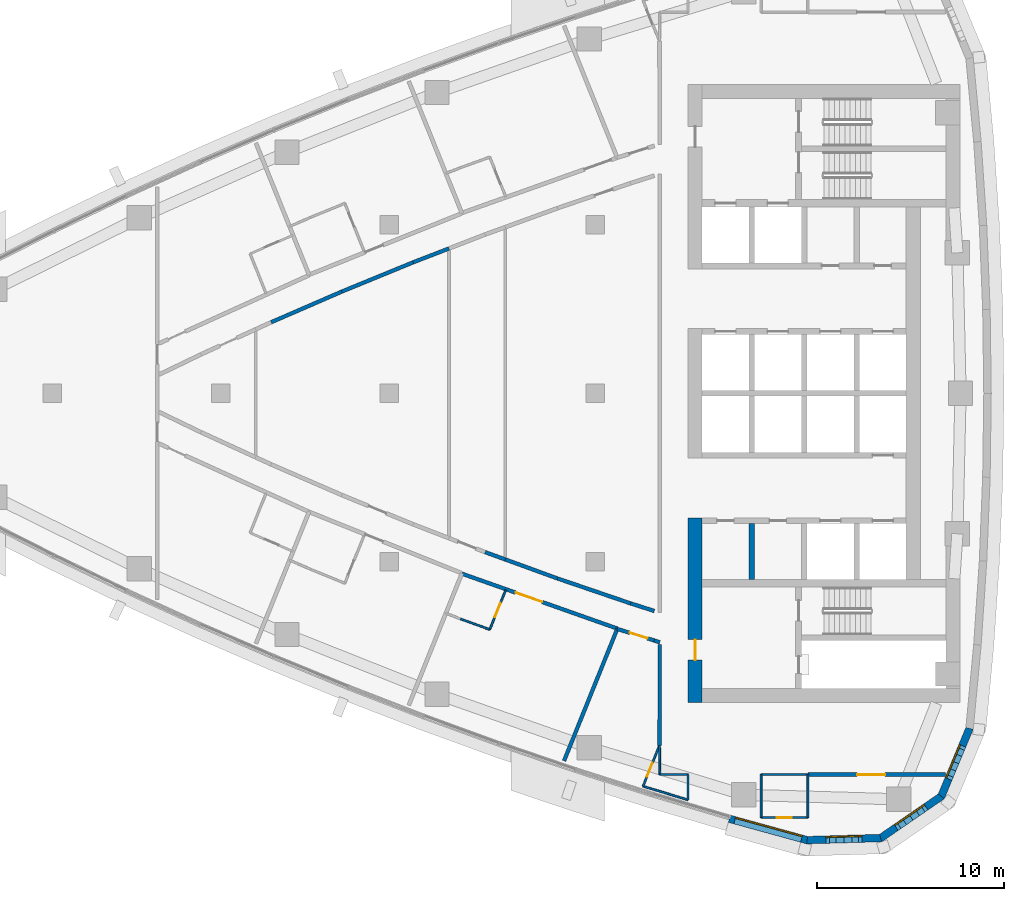
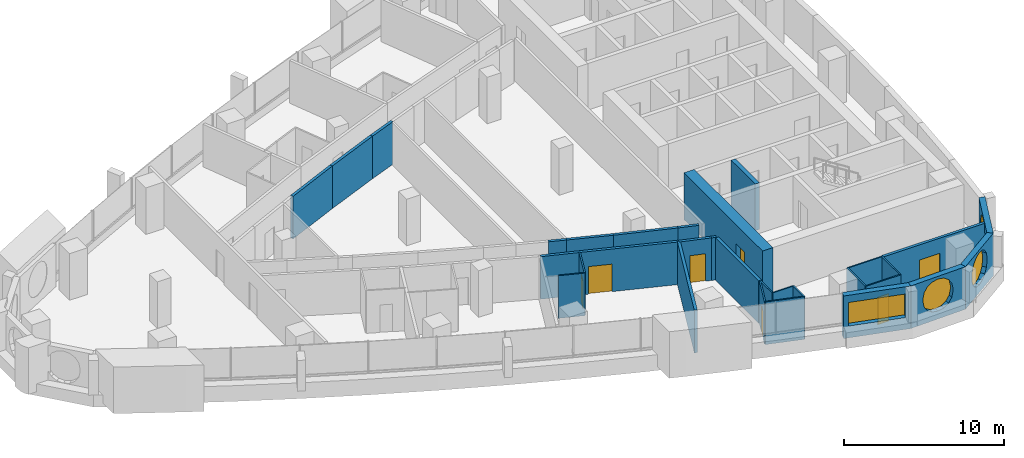
# One storey, part 10 of 17: 30 walls, 7 doors, 4 windows, 11 openings.
"""IFC4 building model written with IfcOpenShell, lengths in metres."""

from ifc_helpers import new_model, si_unit, direction, frame, frame_2d, origin, place, context, subcontext, project, spatial, polyline, rectangle, outline, extrude, material, layer, layer_set, type_object, element, fill, save


model = new_model("IFC4")

# Units and contexts
model_context = context("Model", 3, precision=1e-05, world=origin(), true_north=direction((0.0, 1.0)))
body_context = subcontext(model_context, "Body", "Model", "MODEL_VIEW")
ifc_project = project(units=[si_unit("LENGTHUNIT", "METRE"), si_unit("AREAUNIT", "SQUARE_METRE"), si_unit("VOLUMEUNIT", "CUBIC_METRE"), si_unit("PLANEANGLEUNIT", "RADIAN"), si_unit("MASSUNIT", "GRAM", prefix="KILO")], contexts=[model_context])

# Site, building, storey
site_placement = place(None, origin())
site = spatial("IfcSite", under=ifc_project, at=site_placement, CompositionType="ELEMENT")
building_placement = place(site_placement, origin())
building = spatial("IfcBuilding", under=site, at=building_placement, Name="Ostrand Prow Hotel Tower", CompositionType="ELEMENT")
storey_placement = place(building_placement, frame((0.0, 0.0, 193.25)))
storey = spatial("IfcBuildingStorey", under=building, at=storey_placement, Name="L48", CompositionType="ELEMENT", Elevation=193.25)

# Wall
ifc_material_1 = material(Name="Concrete C60/75", Category="concrete")
ifc_layer_1 = layer(ifc_material_1, 0.300048828125)
ifc_layer_set_1 = layer_set([ifc_layer_1], Name="Concrete C60/75")
wall_type_1 = type_object("IfcWallType", Name="Core wall 300 C60/75", PredefinedType="SHEAR", material=ifc_layer_set_1)
wall_1_placement = place(storey_placement, frame((53.35009765625, -9.949951171875, 0.0), z_axis=(0.0, 0.0, 1.0), x_axis=(0.0, 1.0, 0.0)))
element("IfcWall", 1, at=wall_1_placement, inside=storey, type_object=wall_type_1, Name="Core wall PW-R1-SA", PredefinedType="SHEAR", context=body_context, shape_type="SweptSolid", body=[
    extrude(rectangle(XDim=3.0, YDim=0.300048828125, at=frame_2d((1.5, 0.0))), origin(), (0.0, 0.0, 1.0), 3.550048828125),
])

# Wall, opening, door
ifc_material_2 = material(Name="Concrete C60/75", Category="concrete")
ifc_layer_2 = layer(ifc_material_2, 0.75)
ifc_layer_set_2 = layer_set([ifc_layer_2], Name="Concrete C60/75")
wall_type_2 = type_object("IfcWallType", Name="Core wall 750 C60/75", PredefinedType="SHEAR", material=ifc_layer_set_2)
wall_2_placement = place(storey_placement, frame((50.324951171875, -16.5, 0.0), z_axis=(0.0, 0.0, 1.0), x_axis=(0.0, 1.0, 0.0)))
wall_2 = element("IfcWall", 2, at=wall_2_placement, inside=storey, type_object=wall_type_2, Name="Core wall CW-W-S", PredefinedType="SHEAR", context=body_context, shape_type="SweptSolid", body=[
    extrude(rectangle(XDim=9.85009765625, YDim=0.75, at=frame_2d((4.925048828125, 0.0))), origin(), (0.0, 0.0, 1.0), 3.550048828125),
])
opening_1_placement = place(wall_2_placement, frame((2.25, 0.0, 0.0)))
opening_1 = element("IfcOpeningElement", 3, at=opening_1_placement, cuts=wall_2, Name="Opening FD1", PredefinedType="OPENING", context=body_context, shape_type="SweptSolid", body=[
    extrude(rectangle(XDim=1.10009765625, YDim=2.10009765625, at=frame_2d((0.550048828125, 1.050048828125))), frame((0.0, 0.385009765625, 0.0), z_axis=(0.0, -1.0, 0.0), x_axis=(1.0, 0.0, 0.0)), (0.0, 0.0, 1.0), 0.77001953125),
])
ifc_material_3 = material(Name="Steel fire door", Category="steel")
door_type_1 = type_object("IfcDoorType", Name="Fire door 1100 EI120", OperationType="SINGLE_SWING_RIGHT", PredefinedType="DOOR", material=ifc_material_3)
door_1_placement = place(opening_1_placement, origin())
door_1 = element("IfcDoor", 4, at=door_1_placement, inside=storey, type_object=door_type_1, Name="FIRE DOOR", OperationType="SINGLE_SWING_RIGHT", OverallHeight=2.10009765625, OverallWidth=1.10009765625, PredefinedType="DOOR", context=body_context, shape_type="SweptSolid", body=[
    extrude(rectangle(XDim=1.10009765625, YDim=2.10009765625, at=frame_2d((0.550048828125, 1.050048828125))), frame((0.0, 0.02490234375, 0.0), z_axis=(0.0, -1.0, 0.0), x_axis=(1.0, 0.0, 0.0)), (0.0, 0.0, 1.0), 0.050048828125),
])
fill(opening_1, door_1)

ifc_material_4 = material(Name="Plasterboard partition")
ifc_layer_3 = layer(ifc_material_4, 0.10009765625)
ifc_layer_set_3 = layer_set([ifc_layer_3], Name="Plasterboard partition")
wall_type_3 = type_object("IfcWallType", Name="Partition 100 bathroom wall", PredefinedType="PARTITIONING", material=ifc_layer_set_3)
wall_3_placement = place(storey_placement, frame((56.35009765625, -22.64990234375, 0.0), z_axis=(0.0, 0.0, 1.0), x_axis=(-1.0, 0.0, 0.0)))
wall_3 = element("IfcWall", 5, at=wall_3_placement, inside=storey, type_object=wall_type_3, Name="BATHROOM WALL", PredefinedType="PARTITIONING", context=body_context, shape_type="SweptSolid", body=[
    extrude(rectangle(XDim=2.5, YDim=0.10009765625, at=frame_2d((1.25, 0.0))), origin(), (0.0, 0.0, 1.0), 3.25),
])
opening_2_placement = place(wall_3_placement, frame((0.85009765625, 0.0, 0.0)))
opening_2 = element("IfcOpeningElement", 6, at=opening_2_placement, cuts=wall_3, Name="Opening D2", PredefinedType="OPENING", context=body_context, shape_type="SweptSolid", body=[
    extrude(rectangle(XDim=0.800048828125, YDim=2.10009765625, at=frame_2d((0.39990234375, 1.050048828125))), frame((0.0, 0.06005859375, 0.0), z_axis=(0.0, -1.0, 0.0), x_axis=(1.0, 0.0, 0.0)), (0.0, 0.0, 1.0), 0.1201171875),
])
ifc_material_5 = material(Name="Timber door leaf", Category="wood")
door_type_2 = type_object("IfcDoorType", Name="Bathroom door 800", OperationType="SINGLE_SWING_LEFT", PredefinedType="DOOR", material=ifc_material_5)
door_2_placement = place(opening_2_placement, origin())
door_2 = element("IfcDoor", 7, at=door_2_placement, inside=storey, type_object=door_type_2, Name="DOOR", OperationType="SINGLE_SWING_LEFT", OverallHeight=2.10009765625, OverallWidth=0.800048828125, PredefinedType="DOOR", context=body_context, shape_type="SweptSolid", body=[
    extrude(rectangle(XDim=0.800048828125, YDim=2.10009765625, at=frame_2d((0.39990234375, 1.050048828125))), frame((0.0, 0.02490234375, 0.0), z_axis=(0.0, -1.0, 0.0), x_axis=(1.0, 0.0, 0.0)), (0.0, 0.0, 1.0), 0.050048828125),
])
fill(opening_2, door_2)

# Walls
for number, where, z_axis, x_axis, name in (
    (8, (53.85009765625, -22.64990234375, 0.0), (0.0, 0.0, 1.0), (0.0, 1.0, 0.0), "BATHROOM WALL"),
    (9, (56.35009765625, -20.35009765625, 0.0), (0.0, 0.0, 1.0), (0.0, -1.0, 0.0), "BATHROOM WALL"),
):
    element("IfcWall", number, at=place(storey_placement, frame(where, z_axis=z_axis, x_axis=x_axis)), inside=storey, type_object=wall_type_3, Name=name, PredefinedType="PARTITIONING", context=body_context, shape_type="SweptSolid", body=[
        extrude(rectangle(XDim=2.2998046875, YDim=0.10009765625, at=frame_2d((1.14990234375, 0.0))), origin(), (0.0, 0.0, 1.0), 3.25),
    ])

# Wall, opening, door
wall_4_placement = place(storey_placement, frame((40.216064453125, -10.50048828125, 0.0), z_axis=(0.0, 0.0, 1.0), x_axis=(-0.373883593317, -0.927475637765, 0.0)))
wall_4 = element("IfcWall", 10, at=wall_4_placement, inside=storey, type_object=wall_type_3, Name="BATHROOM WALL", PredefinedType="PARTITIONING", context=body_context, shape_type="SweptSolid", body=[
    extrude(rectangle(XDim=2.2783203125, YDim=0.10009765625, at=frame_2d((1.13916015625, 0.0))), origin(), (0.0, 0.0, 1.0), 3.25),
])
opening_3_placement = place(wall_4_placement, frame((0.75, 0.0, 0.0)))
opening_3 = element("IfcOpeningElement", 11, at=opening_3_placement, cuts=wall_4, Name="Opening D2", PredefinedType="OPENING", context=body_context, shape_type="SweptSolid", body=[
    extrude(rectangle(XDim=0.800048828125, YDim=2.10009765625, at=frame_2d((0.39990234375, 1.050048828125))), frame((0.0, 0.06005859375, 0.0), z_axis=(0.0, -1.0, 0.0), x_axis=(1.0, 0.0, 0.0)), (0.0, 0.0, 1.0), 0.1201171875),
])
door_3_placement = place(opening_3_placement, origin())
door_3 = element("IfcDoor", 12, at=door_3_placement, inside=storey, type_object=door_type_2, Name="DOOR", OperationType="SINGLE_SWING_LEFT", OverallHeight=2.10009765625, OverallWidth=0.800048828125, PredefinedType="DOOR", context=body_context, shape_type="SweptSolid", body=[
    extrude(rectangle(XDim=0.800048828125, YDim=2.10009765625, at=frame_2d((0.39990234375, 1.050048828125))), frame((0.0, 0.02490234375, 0.0), z_axis=(0.0, -1.0, 0.0), x_axis=(1.0, 0.0, 0.0)), (0.0, 0.0, 1.0), 0.050048828125),
])
fill(opening_3, door_3)

# Wall
wall_5_placement = place(storey_placement, frame((39.3642578125, -12.613525390625, 0.0), z_axis=(0.0, 0.0, 1.0), x_axis=(-0.939759586286, 0.341836101053, 0.0)))
element("IfcWall", 13, at=wall_5_placement, inside=storey, type_object=wall_type_3, Name="BATHROOM WALL", PredefinedType="PARTITIONING", context=body_context, shape_type="SweptSolid", body=[
    extrude(rectangle(XDim=1.685546875, YDim=0.10009765625, at=frame_2d((0.8427734375, 0.0))), origin(), (0.0, 0.0, 1.0), 3.25),
])

# Wall, opening, door
wall_6_placement = place(storey_placement, frame((47.547119140625, -20.980224609375, 0.0), z_axis=(0.0, 0.0, 1.0), x_axis=(0.373908119057, 0.927465750582, 0.0)))
wall_6 = element("IfcWall", 14, at=wall_6_placement, inside=storey, type_object=wall_type_3, Name="BATHROOM WALL", PredefinedType="PARTITIONING", context=body_context, shape_type="SweptSolid", body=[
    extrude(rectangle(XDim=2.30615234375, YDim=0.10009765625, at=frame_2d((1.153076171875, 0.0))), origin(), (0.0, 0.0, 1.0), 3.25),
])
opening_4_placement = place(wall_6_placement, frame((0.550048828125, 0.0, 0.0)))
opening_4 = element("IfcOpeningElement", 15, at=opening_4_placement, cuts=wall_6, Name="Opening D2", PredefinedType="OPENING", context=body_context, shape_type="SweptSolid", body=[
    extrude(rectangle(XDim=0.800048828125, YDim=2.10009765625, at=frame_2d((0.39990234375, 1.050048828125))), frame((0.0, 0.06005859375, 0.0), z_axis=(0.0, -1.0, 0.0), x_axis=(1.0, 0.0, 0.0)), (0.0, 0.0, 1.0), 0.1201171875),
])
door_4_placement = place(opening_4_placement, origin())
door_4 = element("IfcDoor", 16, at=door_4_placement, inside=storey, type_object=door_type_2, Name="DOOR", OperationType="SINGLE_SWING_LEFT", OverallHeight=2.10009765625, OverallWidth=0.800048828125, PredefinedType="DOOR", context=body_context, shape_type="SweptSolid", body=[
    extrude(rectangle(XDim=0.800048828125, YDim=2.10009765625, at=frame_2d((0.39990234375, 1.050048828125))), frame((0.0, 0.02490234375, 0.0), z_axis=(0.0, -1.0, 0.0), x_axis=(1.0, 0.0, 0.0)), (0.0, 0.0, 1.0), 0.050048828125),
])
fill(opening_4, door_4)

# Walls
wall_7_placement = place(storey_placement, frame((53.85009765625, -20.35498046875, 0.0), z_axis=(0.0, 0.0, 1.0), x_axis=(1.0, 0.0, 0.0)))
element("IfcWall", 17, at=wall_7_placement, inside=storey, type_object=wall_type_3, Name="BATHROOM WALL", PredefinedType="PARTITIONING", context=body_context, shape_type="SweptSolid", body=[
    extrude(rectangle(XDim=2.5, YDim=0.10009765625, at=frame_2d((1.25, 0.0))), origin(), (0.0, 0.0, 1.0), 3.25),
])
wall_8_placement = place(storey_placement, frame((48.428955078125, -18.81591796875, 0.0), z_axis=(0.0, 0.0, 1.0), x_axis=(0.010805026288, -0.999941624, 0.0)))
element("IfcWall", 18, at=wall_8_placement, inside=storey, type_object=wall_type_3, Name="BATHROOM WALL", PredefinedType="PARTITIONING", context=body_context, shape_type="SweptSolid", body=[
    extrude(rectangle(XDim=1.536376953125, YDim=0.10009765625, at=frame_2d((0.76806640625, 0.0))), origin(), (0.0, 0.0, 1.0), 3.25),
])
wall_9_placement = place(storey_placement, frame((48.445556640625, -20.352294921875, 0.0), z_axis=(0.0, 0.0, 1.0), x_axis=(0.999998406651, -0.001785131852, 0.0)))
element("IfcWall", 19, at=wall_9_placement, inside=storey, type_object=wall_type_3, Name="BATHROOM WALL", PredefinedType="PARTITIONING", context=body_context, shape_type="SweptSolid", body=[
    extrude(rectangle(XDim=1.50439453125, YDim=0.10009765625, at=frame_2d((0.752197265625, 0.0))), origin(), (0.0, 0.0, 1.0), 3.25),
])
wall_10_placement = place(storey_placement, frame((49.949951171875, -20.35498046875, 0.0), z_axis=(0.0, 0.0, 1.0), x_axis=(0.0, -1.0, 0.0)))
element("IfcWall", 20, at=wall_10_placement, inside=storey, type_object=wall_type_3, Name="BATHROOM WALL", PredefinedType="PARTITIONING", context=body_context, shape_type="SweptSolid", body=[
    extrude(rectangle(XDim=1.351318359375, YDim=0.10009765625, at=frame_2d((0.67578125, 0.0))), origin(), (0.0, 0.0, 1.0), 3.25),
])
wall_11_placement = place(storey_placement, frame((49.949951171875, -21.706298828125, 0.0), z_axis=(0.0, 0.0, 1.0), x_axis=(-0.957251518155, 0.289256859885, 0.0)))
element("IfcWall", 21, at=wall_11_placement, inside=storey, type_object=wall_type_3, Name="BATHROOM WALL", PredefinedType="PARTITIONING", context=body_context, shape_type="SweptSolid", body=[
    extrude(rectangle(XDim=2.51025390625, YDim=0.10009765625, at=frame_2d((1.255126953125, 0.0))), origin(), (0.0, 0.0, 1.0), 3.25),
])

# Wall, opening, door
ifc_material_6 = material(Name="Plasterboard partition")
ifc_layer_4 = layer(ifc_material_6, 0.199951171875)
ifc_layer_set_4 = layer_set([ifc_layer_4], Name="Plasterboard partition")
wall_type_4 = type_object("IfcWallType", Name="Partition 200 corridor wall", PredefinedType="PARTITIONING", material=ifc_layer_set_4)
wall_12_placement = place(storey_placement, frame((37.872314453125, -9.62841796875, 0.0), z_axis=(0.0, 0.0, 1.0), x_axis=(0.9429299378, -0.332991189675, 0.0)))
wall_12 = element("IfcWall", 22, at=wall_12_placement, inside=storey, type_object=wall_type_4, Name="CORRIDOR WALL", PredefinedType="PARTITIONING", context=body_context, shape_type="SweptSolid", body=[
    extrude(rectangle(XDim=8.808349609375, YDim=0.199951171875, at=frame_2d((4.404296875, 0.0))), origin(), (0.0, 0.0, 1.0), 3.25),
])
opening_5_placement = place(wall_12_placement, frame((3.050048828125, 0.0, 0.0)))
opening_5 = element("IfcOpeningElement", 23, at=opening_5_placement, cuts=wall_12, Name="Opening D15", PredefinedType="OPENING", context=body_context, shape_type="SweptSolid", body=[
    extrude(rectangle(XDim=1.5, YDim=2.10009765625, at=frame_2d((0.75, 1.050048828125))), frame((0.0, 0.10986328125, 0.0), z_axis=(0.0, -1.0, 0.0), x_axis=(1.0, 0.0, 0.0)), (0.0, 0.0, 1.0), 0.219970703125),
])
ifc_material_7 = material(Name="Timber door leaf", Category="wood")
door_type_3 = type_object("IfcDoorType", Name="Double door 1500", OperationType="DOUBLE_DOOR_SINGLE_SWING", PredefinedType="DOOR", material=ifc_material_7)
door_5_placement = place(opening_5_placement, origin())
door_5 = element("IfcDoor", 24, at=door_5_placement, inside=storey, type_object=door_type_3, Name="DOOR", OperationType="DOUBLE_DOOR_SINGLE_SWING", OverallHeight=2.10009765625, OverallWidth=1.5, PredefinedType="DOOR", context=body_context, shape_type="SweptSolid", body=[
    extrude(rectangle(XDim=1.5, YDim=2.10009765625, at=frame_2d((0.75, 1.050048828125))), frame((0.0, 0.02490234375, 0.0), z_axis=(0.0, -1.0, 0.0), x_axis=(1.0, 0.0, 0.0)), (0.0, 0.0, 1.0), 0.050048828125),
])
fill(opening_5, door_5)

# Walls
wall_13_placement = place(storey_placement, frame((35.275634765625, 6.994384765625, 0.0), z_axis=(0.0, 0.0, 1.0), x_axis=(0.932688150298, 0.360683814848, 0.0)))
element("IfcWall", 25, at=wall_13_placement, inside=storey, type_object=wall_type_4, Name="CORRIDOR WALL", PredefinedType="PARTITIONING", context=body_context, shape_type="SweptSolid", body=[
    extrude(rectangle(XDim=2.052978515625, YDim=0.199951171875, at=frame_2d((1.0263671875, 0.0))), origin(), (0.0, 0.0, 1.0), 3.25),
])
for number, where, z_axis, x_axis, name in (
    (26, (27.689697265625, 3.79345703125, 0.0), (0.0, 0.0, 1.0), (0.917375244839, 0.398023441717, 0.0), "CORRIDOR WALL"),
    (27, (31.466552734375, 5.43212890625, 0.0), (0.0, 0.0, 1.0), (0.92520652337, 0.379463949689, 0.0), "CORRIDOR WALL"),
):
    element("IfcWall", number, at=place(storey_placement, frame(where, z_axis=z_axis, x_axis=x_axis)), inside=storey, type_object=wall_type_4, Name=name, PredefinedType="PARTITIONING", context=body_context, shape_type="SweptSolid", body=[
        extrude(rectangle(XDim=4.116943359375, YDim=0.199951171875, at=frame_2d((2.05859375, 0.0))), origin(), (0.0, 0.0, 1.0), 3.25),
    ])
wall_14_placement = place(storey_placement, frame((40.1904296875, -8.87060546875, 0.0), z_axis=(0.0, 0.0, 1.0), x_axis=(-0.939731092615, 0.34191442434, 0.0)))
element("IfcWall", 28, at=wall_14_placement, inside=storey, type_object=wall_type_4, Name="CORRIDOR WALL", PredefinedType="PARTITIONING", context=body_context, shape_type="SweptSolid", body=[
    extrude(rectangle(XDim=1.143798828125, YDim=0.199951171875, at=frame_2d((0.57177734375, 0.0))), origin(), (0.0, 0.0, 1.0), 3.25),
])
wall_15_placement = place(storey_placement, frame((46.880859375, -11.216552734375, 0.0), z_axis=(0.0, 0.0, 1.0), x_axis=(-0.946436071896, 0.322891253852, 0.0)))
element("IfcWall", 29, at=wall_15_placement, inside=storey, type_object=wall_type_4, Name="CORRIDOR WALL", PredefinedType="PARTITIONING", context=body_context, shape_type="SweptSolid", body=[
    extrude(rectangle(XDim=4.116943359375, YDim=0.199951171875, at=frame_2d((2.05859375, 0.0))), origin(), (0.0, 0.0, 1.0), 3.25),
])
wall_16_placement = place(storey_placement, frame((42.984375, -9.88720703125, 0.0), z_axis=(0.0, 0.0, 1.0), x_axis=(-0.939726274687, 0.341927665833, 0.0)))
element("IfcWall", 30, at=wall_16_placement, inside=storey, type_object=wall_type_4, Name="CORRIDOR WALL", PredefinedType="PARTITIONING", context=body_context, shape_type="SweptSolid", body=[
    extrude(rectangle(XDim=2.97314453125, YDim=0.199951171875, at=frame_2d((1.486572265625, 0.0))), origin(), (0.0, 0.0, 1.0), 3.25),
])

# Wall, opening, door
wall_17_placement = place(storey_placement, frame((56.35498046875, -20.35498046875, 0.0), z_axis=(0.0, 0.0, 1.0), x_axis=(1.0, 0.0, 0.0)))
wall_17 = element("IfcWall", 31, at=wall_17_placement, inside=storey, type_object=wall_type_4, Name="CORRIDOR WALL", PredefinedType="PARTITIONING", context=body_context, shape_type="SweptSolid", body=[
    extrude(rectangle(XDim=7.3544921875, YDim=0.199951171875, at=frame_2d((3.67724609375, 0.0))), origin(), (0.0, 0.0, 1.0), 3.25),
])
opening_6_placement = place(wall_17_placement, frame((2.623779296875, 0.0, 0.0)))
opening_6 = element("IfcOpeningElement", 32, at=opening_6_placement, cuts=wall_17, Name="Opening D15", PredefinedType="OPENING", context=body_context, shape_type="SweptSolid", body=[
    extrude(rectangle(XDim=1.5, YDim=2.10009765625, at=frame_2d((0.75, 1.050048828125))), frame((0.0, 0.10986328125, 0.0), z_axis=(0.0, -1.0, 0.0), x_axis=(1.0, 0.0, 0.0)), (0.0, 0.0, 1.0), 0.219970703125),
])
door_6_placement = place(opening_6_placement, origin())
door_6 = element("IfcDoor", 33, at=door_6_placement, inside=storey, type_object=door_type_3, Name="DOOR", OperationType="DOUBLE_DOOR_SINGLE_SWING", OverallHeight=2.10009765625, OverallWidth=1.5, PredefinedType="DOOR", context=body_context, shape_type="SweptSolid", body=[
    extrude(rectangle(XDim=1.5, YDim=2.10009765625, at=frame_2d((0.75, 1.050048828125))), frame((0.0, 0.02490234375, 0.0), z_axis=(0.0, -1.0, 0.0), x_axis=(1.0, 0.0, 0.0)), (0.0, 0.0, 1.0), 0.050048828125),
])
fill(opening_6, door_6)

wall_18_placement = place(storey_placement, frame((46.17041015625, -12.580078125, 0.0), z_axis=(0.0, 0.0, 1.0), x_axis=(0.954639063921, -0.297765440634, 0.0)))
wall_18 = element("IfcWall", 34, at=wall_18_placement, inside=storey, type_object=wall_type_4, Name="CORRIDOR WALL", PredefinedType="PARTITIONING", context=body_context, shape_type="SweptSolid", body=[
    extrude(rectangle(XDim=2.073486328125, YDim=0.199951171875, at=frame_2d((1.03662109375, 0.0))), origin(), (0.0, 0.0, 1.0), 3.25),
])
opening_7_placement = place(wall_18_placement, frame((0.699951171875, 0.0, 0.0)))
opening_7 = element("IfcOpeningElement", 35, at=opening_7_placement, cuts=wall_18, Name="Opening D1R", PredefinedType="OPENING", context=body_context, shape_type="SweptSolid", body=[
    extrude(rectangle(XDim=1.0, YDim=2.10009765625, at=frame_2d((0.5, 1.050048828125))), frame((0.0, 0.10986328125, 0.0), z_axis=(0.0, -1.0, 0.0), x_axis=(1.0, 0.0, 0.0)), (0.0, 0.0, 1.0), 0.219970703125),
])
ifc_material_8 = material(Name="Timber door leaf", Category="wood")
door_type_4 = type_object("IfcDoorType", Name="Guest room door 1000 right", OperationType="SINGLE_SWING_RIGHT", PredefinedType="DOOR", material=ifc_material_8)
door_7_placement = place(opening_7_placement, origin())
door_7 = element("IfcDoor", 36, at=door_7_placement, inside=storey, type_object=door_type_4, Name="DOOR", OperationType="SINGLE_SWING_RIGHT", OverallHeight=2.10009765625, OverallWidth=1.0, PredefinedType="DOOR", context=body_context, shape_type="SweptSolid", body=[
    extrude(rectangle(XDim=1.0, YDim=2.10009765625, at=frame_2d((0.5, 1.050048828125))), frame((0.0, 0.02490234375, 0.0), z_axis=(0.0, -1.0, 0.0), x_axis=(1.0, 0.0, 0.0)), (0.0, 0.0, 1.0), 0.050048828125),
])
fill(opening_7, door_7)

# Walls
wall_19_placement = place(storey_placement, frame((48.14990234375, -11.62109375, 0.0), z_axis=(0.0, 0.0, 1.0), x_axis=(-0.952761948983, 0.303718074157, 0.0)))
element("IfcWall", 37, at=wall_19_placement, inside=storey, type_object=wall_type_4, Name="CORRIDOR WALL", PredefinedType="PARTITIONING", context=body_context, shape_type="SweptSolid", body=[
    extrude(rectangle(XDim=1.33203125, YDim=0.199951171875, at=frame_2d((0.666015625, 0.0))), origin(), (0.0, 0.0, 1.0), 3.25),
])
wall_20_placement = place(storey_placement, frame((48.14990234375, -13.197509765625, 0.0), z_axis=(0.0, 0.0, 1.0), x_axis=(0.949621636458, -0.313398703843, 0.0)))
element("IfcWall", 38, at=wall_20_placement, inside=storey, type_object=wall_type_4, Name="CORRIDOR WALL", PredefinedType="PARTITIONING", context=body_context, shape_type="SweptSolid", body=[
    extrude(rectangle(XDim=0.310791015625, YDim=0.199951171875, at=frame_2d((0.1552734375, 0.0))), origin(), (0.0, 0.0, 1.0), 3.25),
])
wall_21_placement = place(storey_placement, frame((48.44482421875, -13.414794921875, 0.0), z_axis=(0.0, 0.0, 1.0), x_axis=(-0.002938106018, -0.999995683757, 0.0)))
element("IfcWall", 39, at=wall_21_placement, inside=storey, type_object=wall_type_4, Name="CORRIDOR WALL", PredefinedType="PARTITIONING", context=body_context, shape_type="SweptSolid", body=[
    extrude(rectangle(XDim=5.401123046875, YDim=0.199951171875, at=frame_2d((2.70068359375, 0.0))), origin(), (0.0, 0.0, 1.0), 3.25),
])
ifc_material_9 = material(Name="Plasterboard partition")
ifc_layer_5 = layer(ifc_material_9, 0.199951171875)
ifc_layer_set_5 = layer_set([ifc_layer_5], Name="Plasterboard partition")
wall_type_5 = type_object("IfcWallType", Name="Partition 200 key partition", PredefinedType="PARTITIONING", material=ifc_layer_set_5)
wall_22_placement = place(storey_placement, frame((43.33203125, -19.620849609375, 0.0), z_axis=(0.0, 0.0, 1.0), x_axis=(0.373905590149, 0.927466770108, 0.0)))
element("IfcWall", 40, at=wall_22_placement, inside=storey, type_object=wall_type_5, Name="KEY PARTITION", PredefinedType="PARTITIONING", context=body_context, shape_type="SweptSolid", body=[
    extrude(rectangle(XDim=7.611328125, YDim=0.199951171875, at=frame_2d((3.8056640625, 0.0))), origin(), (0.0, 0.0, 1.0), 3.25),
])

# Wall, opening, window
ifc_material_10 = material(Name="Precast concrete C40/50", Category="concrete")
ifc_layer_6 = layer(ifc_material_10, 0.39990234375)
ifc_layer_set_6 = layer_set([ifc_layer_6], Name="Precast concrete C40/50")
wall_type_6 = type_object("IfcWallType", Name="Stone-faced precast wall 400 mm", PredefinedType="NOTDEFINED", material=ifc_layer_set_6)
wall_23_placement = place(storey_placement, frame((52.15478515625, -22.7158203125, 0.0), z_axis=(0.0, 0.0, 1.0), x_axis=(0.964205755089, -0.265155165617, 0.0)))
wall_23 = element("IfcWall", 41, at=wall_23_placement, inside=storey, type_object=wall_type_6, Name="Stone-faced wall back 1", PredefinedType="NOTDEFINED", context=body_context, shape_type="SweptSolid", body=[
    extrude(outline(polyline([(0.0, -0.199951171875), (4.3369140625, -0.199951171875), (4.27734375, 0.199951171875), (0.0, 0.199951171875), (0.0, -0.199951171875)])), origin(), (0.0, 0.0, 1.0), 3.25),
])
opening_8_placement = place(wall_23_placement, frame((0.303466796875, 0.0, 0.89990234375)))
opening_8 = element("IfcOpeningElement", 42, at=opening_8_placement, cuts=wall_23, Name="Opening WS3-37", PredefinedType="OPENING", context=body_context, shape_type="SweptSolid", body=[
    extrude(rectangle(XDim=3.699951171875, YDim=1.800048828125, at=frame_2d((1.85009765625, 0.89990234375))), frame((0.0, 0.2099609375, 0.0), z_axis=(0.0, -1.0, 0.0), x_axis=(1.0, 0.0, 0.0)), (0.0, 0.0, 1.0), 0.419921875),
])
ifc_material_11 = material(Name="Insulated glass in bronze frame", Category="glass")
window_type_1 = type_object("IfcWindowType", Name="Strip window 3700x1800", PartitioningType="SINGLE_PANEL", PredefinedType="WINDOW", material=ifc_material_11)
window_1_placement = place(opening_8_placement, origin())
window_1 = element("IfcWindow", 43, at=window_1_placement, inside=storey, type_object=window_type_1, Name="Window back 1.1", OverallHeight=1.800048828125, OverallWidth=3.699951171875, PartitioningType="SINGLE_PANEL", PredefinedType="WINDOW", context=body_context, shape_type="SweptSolid", body=[
    extrude(rectangle(XDim=3.699951171875, YDim=1.800048828125, at=frame_2d((1.85009765625, 0.89990234375))), frame((0.0, 0.169921875, 0.0), z_axis=(0.0, -1.0, 0.0), x_axis=(1.0, 0.0, 0.0)), (0.0, 0.0, 1.0), 0.06005859375),
])
fill(opening_8, window_1)

wall_24_placement = place(storey_placement, frame((56.307861328125, -23.85791015625, 0.0), z_axis=(0.0, 0.0, 1.0), x_axis=(0.999587920197, 0.028705222472, 0.0)))
wall_24 = element("IfcWall", 44, at=wall_24_placement, inside=storey, type_object=wall_type_6, Name="Stone-faced wall back 2", PredefinedType="NOTDEFINED", context=body_context, shape_type="SweptSolid", body=[
    extrude(outline(polyline([(-0.02978515625, -0.199951171875), (3.988525390625, -0.199951171875), (3.870361328125, 0.199951171875), (0.02978515625, 0.199951171875), (-0.02978515625, -0.199951171875)])), origin(), (0.0, 0.0, 1.0), 3.25),
])
opening_9_placement = place(wall_24_placement, frame((0.864501953125, 0.0, 0.60009765625)))
opening_9 = element("IfcOpeningElement", 45, at=opening_9_placement, cuts=wall_24, Name="Opening WP1", PredefinedType="OPENING", context=body_context, shape_type="SweptSolid", body=[
    extrude(outline(polyline([(0.0, 1.35009765625), (0.083740234375, 1.77099609375), (0.322265625, 2.127685546875), (0.678955078125, 2.3662109375), (1.10009765625, 2.449951171875), (1.52099609375, 2.3662109375), (1.877685546875, 2.127685546875), (2.1162109375, 1.77099609375), (2.199951171875, 1.35009765625), (2.199951171875, 1.10009765625), (2.1162109375, 0.678955078125), (1.877685546875, 0.322265625), (1.52099609375, 0.083740234375), (1.10009765625, 0.0), (0.678955078125, 0.083740234375), (0.322265625, 0.322265625), (0.083740234375, 0.678955078125), (0.0, 1.099853515625), (0.0, 1.35009765625)])), frame((0.0, 0.2099609375, 0.0), z_axis=(0.0, -1.0, 0.0), x_axis=(1.0, 0.0, 0.0)), (0.0, 0.0, 1.0), 0.419921875),
])
ifc_material_12 = material(Name="Insulated glass in bronze frame", Category="glass")
window_type_2 = type_object("IfcWindowType", Name="Round-ended prow window 2200x2450", PartitioningType="SINGLE_PANEL", PredefinedType="WINDOW", material=ifc_material_12)
window_2_placement = place(opening_9_placement, origin())
window_2 = element("IfcWindow", 46, at=window_2_placement, inside=storey, type_object=window_type_2, Name="Window back 2.1", OverallHeight=2.449951171875, OverallWidth=2.199951171875, PartitioningType="SINGLE_PANEL", PredefinedType="WINDOW", context=body_context, shape_type="SweptSolid", body=[
    extrude(outline(polyline([(0.0, 1.35009765625), (0.083740234375, 1.77099609375), (0.322265625, 2.127685546875), (0.678955078125, 2.3662109375), (1.10009765625, 2.449951171875), (1.52099609375, 2.3662109375), (1.877685546875, 2.127685546875), (2.1162109375, 1.77099609375), (2.199951171875, 1.35009765625), (2.199951171875, 1.10009765625), (2.1162109375, 0.678955078125), (1.877685546875, 0.322265625), (1.52099609375, 0.083740234375), (1.10009765625, 0.0), (0.678955078125, 0.083740234375), (0.322265625, 0.322265625), (0.083740234375, 0.678955078125), (0.0, 1.099853515625), (0.0, 1.35009765625)])), frame((0.0, 0.169921875, 0.0), z_axis=(0.0, -1.0, 0.0), x_axis=(1.0, 0.0, 0.0)), (0.0, 0.0, 1.0), 0.06005859375),
])
fill(opening_9, window_2)

wall_25_placement = place(storey_placement, frame((60.235595703125, -23.7451171875, 0.0), z_axis=(0.0, 0.0, 1.0), x_axis=(0.823806162588, 0.566871596115, 0.0)))
wall_25 = element("IfcWall", 47, at=wall_25_placement, inside=storey, type_object=wall_type_6, Name="Stone-faced wall back 3", PredefinedType="NOTDEFINED", context=body_context, shape_type="SweptSolid", body=[
    extrude(outline(polyline([(-0.05908203125, -0.199951171875), (3.98828125, -0.199951171875), (3.8701171875, 0.199951171875), (0.05908203125, 0.199951171875), (-0.05908203125, -0.199951171875)])), origin(), (0.0, 0.0, 1.0), 3.25),
])
opening_10_placement = place(wall_25_placement, frame((0.864501953125, 0.0, 0.60009765625)))
opening_10 = element("IfcOpeningElement", 48, at=opening_10_placement, cuts=wall_25, Name="Opening WP1", PredefinedType="OPENING", context=body_context, shape_type="SweptSolid", body=[
    extrude(outline(polyline([(0.0, 1.35009765625), (0.083740234375, 1.77099609375), (0.322265625, 2.127685546875), (0.678955078125, 2.3662109375), (1.10009765625, 2.449951171875), (1.52099609375, 2.3662109375), (1.877685546875, 2.127685546875), (2.1162109375, 1.77099609375), (2.199951171875, 1.35009765625), (2.199951171875, 1.10009765625), (2.1162109375, 0.678955078125), (1.877685546875, 0.322265625), (1.52099609375, 0.083740234375), (1.10009765625, 0.0), (0.678955078125, 0.083740234375), (0.322265625, 0.322265625), (0.083740234375, 0.678955078125), (0.0, 1.099853515625), (0.0, 1.35009765625)])), frame((0.0, 0.2099609375, 0.0), z_axis=(0.0, -1.0, 0.0), x_axis=(1.0, 0.0, 0.0)), (0.0, 0.0, 1.0), 0.419921875),
])
window_3_placement = place(opening_10_placement, origin())
window_3 = element("IfcWindow", 49, at=window_3_placement, inside=storey, type_object=window_type_2, Name="Window back 3.1", OverallHeight=2.449951171875, OverallWidth=2.199951171875, PartitioningType="SINGLE_PANEL", PredefinedType="WINDOW", context=body_context, shape_type="SweptSolid", body=[
    extrude(outline(polyline([(0.0, 1.35009765625), (0.083740234375, 1.77099609375), (0.322265625, 2.127685546875), (0.678955078125, 2.3662109375), (1.10009765625, 2.449951171875), (1.52099609375, 2.3662109375), (1.877685546875, 2.127685546875), (2.1162109375, 1.77099609375), (2.199951171875, 1.35009765625), (2.199951171875, 1.10009765625), (2.1162109375, 0.678955078125), (1.877685546875, 0.322265625), (1.52099609375, 0.083740234375), (1.10009765625, 0.0), (0.678955078125, 0.083740234375), (0.322265625, 0.322265625), (0.083740234375, 0.678955078125), (0.0, 1.099853515625), (0.0, 1.35009765625)])), frame((0.0, 0.169921875, 0.0), z_axis=(0.0, -1.0, 0.0), x_axis=(1.0, 0.0, 0.0)), (0.0, 0.0, 1.0), 0.06005859375),
])
fill(opening_10, window_3)

wall_26_placement = place(storey_placement, frame((63.472412109375, -21.517822265625, 0.0), z_axis=(0.0, 0.0, 1.0), x_axis=(0.383997619794, 0.923334082547, 0.0)))
wall_26 = element("IfcWall", 50, at=wall_26_placement, inside=storey, type_object=wall_type_6, Name="Stone-faced wall back 4", PredefinedType="NOTDEFINED", context=body_context, shape_type="SweptSolid", body=[
    extrude(outline(polyline([(-0.05908203125, -0.199951171875), (3.95947265625, -0.199951171875), (3.89892578125, 0.199951171875), (0.05908203125, 0.199951171875), (-0.05908203125, -0.199951171875)])), origin(), (0.0, 0.0, 1.0), 3.25),
])
opening_11_placement = place(wall_26_placement, frame((0.864501953125, 0.0, 0.60009765625)))
opening_11 = element("IfcOpeningElement", 51, at=opening_11_placement, cuts=wall_26, Name="Opening WP1", PredefinedType="OPENING", context=body_context, shape_type="SweptSolid", body=[
    extrude(outline(polyline([(0.0, 1.35009765625), (0.083740234375, 1.77099609375), (0.322265625, 2.127685546875), (0.678955078125, 2.3662109375), (1.10009765625, 2.449951171875), (1.52099609375, 2.3662109375), (1.877685546875, 2.127685546875), (2.1162109375, 1.77099609375), (2.199951171875, 1.35009765625), (2.199951171875, 1.10009765625), (2.1162109375, 0.678955078125), (1.877685546875, 0.322265625), (1.52099609375, 0.083740234375), (1.10009765625, 0.0), (0.678955078125, 0.083740234375), (0.322265625, 0.322265625), (0.083740234375, 0.678955078125), (0.0, 1.099853515625), (0.0, 1.35009765625)])), frame((0.0, 0.2099609375, 0.0), z_axis=(0.0, -1.0, 0.0), x_axis=(1.0, 0.0, 0.0)), (0.0, 0.0, 1.0), 0.419921875),
])
window_4_placement = place(opening_11_placement, origin())
window_4 = element("IfcWindow", 52, at=window_4_placement, inside=storey, type_object=window_type_2, Name="Window back 4.1", OverallHeight=2.449951171875, OverallWidth=2.199951171875, PartitioningType="SINGLE_PANEL", PredefinedType="WINDOW", context=body_context, shape_type="SweptSolid", body=[
    extrude(outline(polyline([(0.0, 1.35009765625), (0.083740234375, 1.77099609375), (0.322265625, 2.127685546875), (0.678955078125, 2.3662109375), (1.10009765625, 2.449951171875), (1.52099609375, 2.3662109375), (1.877685546875, 2.127685546875), (2.1162109375, 1.77099609375), (2.199951171875, 1.35009765625), (2.199951171875, 1.10009765625), (2.1162109375, 0.678955078125), (1.877685546875, 0.322265625), (1.52099609375, 0.083740234375), (1.10009765625, 0.0), (0.678955078125, 0.083740234375), (0.322265625, 0.322265625), (0.083740234375, 0.678955078125), (0.0, 1.099853515625), (0.0, 1.35009765625)])), frame((0.0, 0.169921875, 0.0), z_axis=(0.0, -1.0, 0.0), x_axis=(1.0, 0.0, 0.0)), (0.0, 0.0, 1.0), 0.06005859375),
])
fill(opening_11, window_4)

save(model, "model.ifc")
